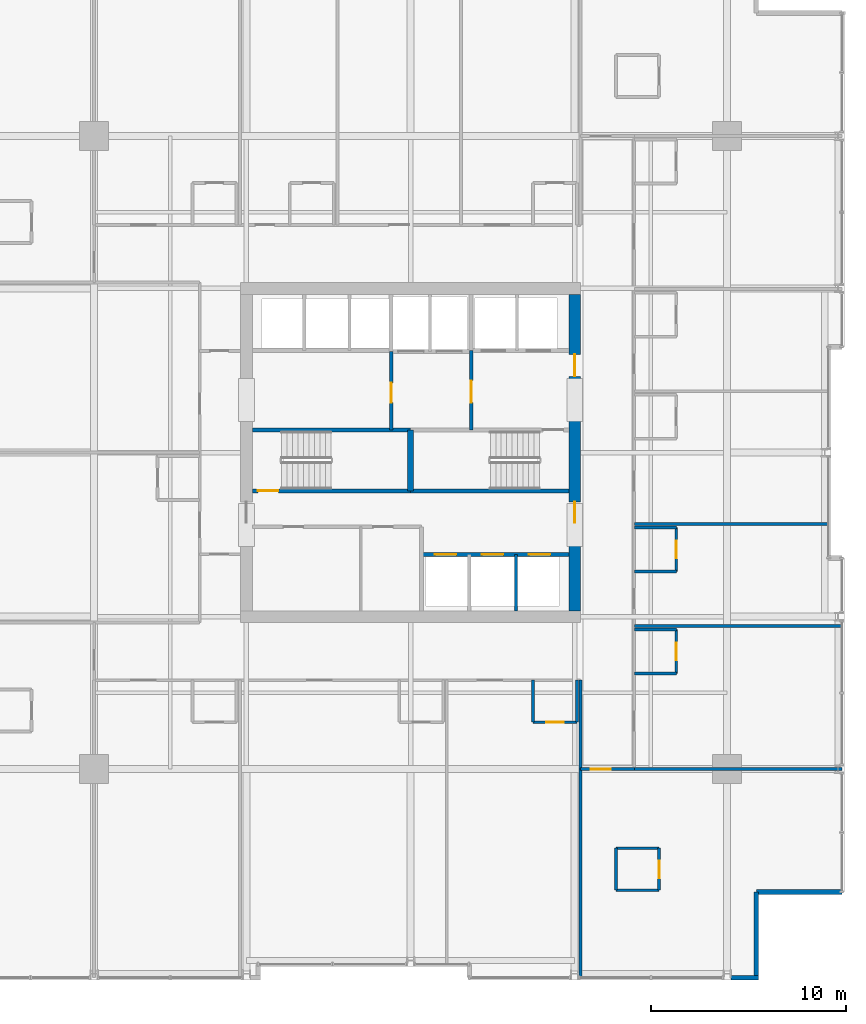
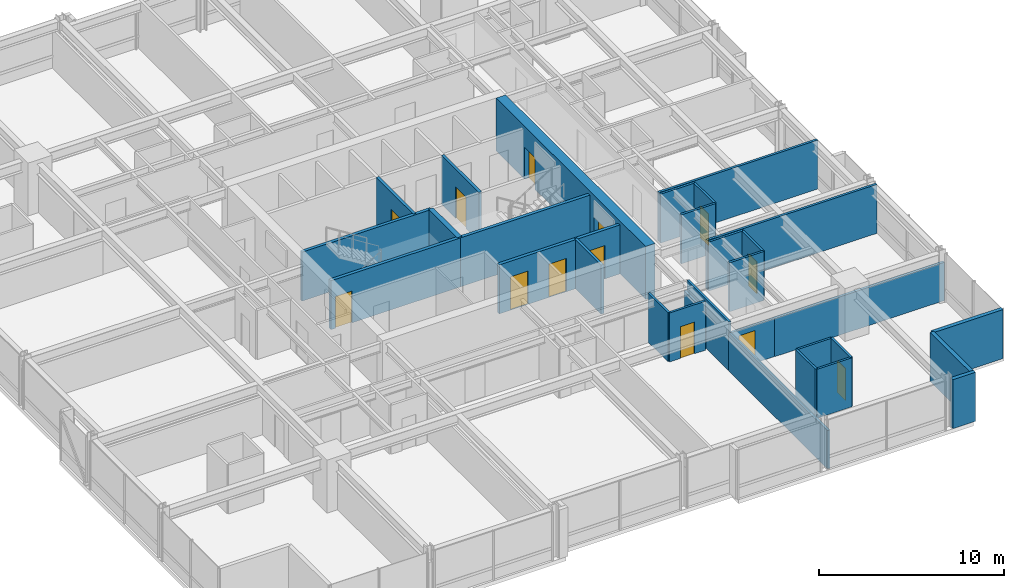
# One storey, part 29 of 34: 31 walls, 13 doors, 13 openings.
"""IFC4 building model written with IfcOpenShell, lengths in metres."""

from ifc_helpers import new_model, si_unit, direction, frame, frame_2d, origin, place, context, subcontext, project, spatial, rectangle, extrude, material, layer, layer_set, type_object, element, fill, save


model = new_model("IFC4")

# Units and contexts
model_context = context("Model", 3, precision=1e-05, world=origin(), true_north=direction((0.0, 1.0)))
body_context = subcontext(model_context, "Body", "Model", "MODEL_VIEW")
ifc_project = project(units=[si_unit("LENGTHUNIT", "METRE"), si_unit("AREAUNIT", "SQUARE_METRE"), si_unit("VOLUMEUNIT", "CUBIC_METRE"), si_unit("PLANEANGLEUNIT", "RADIAN"), si_unit("MASSUNIT", "GRAM", prefix="KILO")], contexts=[model_context])

# Site, building, storey
site_placement = place(None, origin())
site = spatial("IfcSite", under=ifc_project, at=site_placement, CompositionType="ELEMENT")
building_placement = place(site_placement, origin())
building = spatial("IfcBuilding", under=site, at=building_placement, Name="Drelvath Grand Hotel", CompositionType="ELEMENT")
storey_placement = place(building_placement, frame((0.0, 0.0, 126.800048828125)))
storey = spatial("IfcBuildingStorey", under=building, at=storey_placement, Name="L32", CompositionType="ELEMENT", Elevation=126.800048828125)

# Wall, openings, doors
ifc_material_1 = material(Name="Concrete C40/50", Category="concrete")
ifc_layer_1 = layer(ifc_material_1, 0.199951171875)
ifc_layer_set_1 = layer_set([ifc_layer_1], Name="Concrete C40/50")
wall_type_1 = type_object("IfcWallType", Name="Core Hoistway Fire Wall 200", PredefinedType="SOLIDWALL", material=ifc_layer_set_1)
wall_1_placement = place(storey_placement, frame((8.10009765625, 21.780029296875, 0.0), z_axis=(0.0, 0.0, 1.0), x_axis=(-1.0, 0.0, 0.0)))
wall_1 = element("IfcWall", 1, at=wall_1_placement, inside=storey, type_object=wall_type_1, Name="L32 Bank 2 Hoistway Wall", PredefinedType="SOLIDWALL", context=body_context, shape_type="SweptSolid", body=[
    extrude(rectangle(XDim=7.550048828125, YDim=0.199951171875, at=frame_2d((3.77490234375, 0.0))), origin(), (0.0, 0.0, 1.0), 3.239990234375),
])
opening_1_placement = place(wall_1_placement, frame((5.75, 0.0, 0.0)))
opening_1 = element("IfcOpeningElement", 2, at=opening_1_placement, cuts=wall_1, Name="Opening LD-PE-4", PredefinedType="OPENING", context=body_context, shape_type="SweptSolid", body=[
    extrude(rectangle(XDim=1.10009765625, YDim=2.199951171875, at=frame_2d((0.550048828125, 1.10009765625))), frame((0.0, 0.10986328125, 0.0), z_axis=(0.0, -1.0, 0.0), x_axis=(1.0, 0.0, 0.0)), (0.0, 0.0, 1.0), 0.219970703125),
])
opening_2_placement = place(wall_1_placement, frame((3.35009765625, 0.0, 0.0)))
opening_2 = element("IfcOpeningElement", 3, at=opening_2_placement, cuts=wall_1, Name="Opening LD-PE-5", PredefinedType="OPENING", context=body_context, shape_type="SweptSolid", body=[
    extrude(rectangle(XDim=1.10009765625, YDim=2.199951171875, at=frame_2d((0.550048828125, 1.10009765625))), frame((0.0, 0.10986328125, 0.0), z_axis=(0.0, -1.0, 0.0), x_axis=(1.0, 0.0, 0.0)), (0.0, 0.0, 1.0), 0.219970703125),
])
opening_3_placement = place(wall_1_placement, frame((0.949951171875, 0.0, 0.0)))
opening_3 = element("IfcOpeningElement", 4, at=opening_3_placement, cuts=wall_1, Name="Opening LD-PE-6", PredefinedType="OPENING", context=body_context, shape_type="SweptSolid", body=[
    extrude(rectangle(XDim=1.10009765625, YDim=2.199951171875, at=frame_2d((0.550048828125, 1.10009765625))), frame((0.0, 0.10986328125, 0.0), z_axis=(0.0, -1.0, 0.0), x_axis=(1.0, 0.0, 0.0)), (0.0, 0.0, 1.0), 0.219970703125),
])
ifc_material_2 = material(Name="Stainless Steel S355", Category="steel")
door_type_1 = type_object("IfcDoorType", Name="Passenger Lift Sliding Landing Door 1100x2200", OperationType="NOTDEFINED", PredefinedType="DOOR", material=ifc_material_2)
door_1_placement = place(opening_1_placement, origin())
door_1 = element("IfcDoor", 5, at=door_1_placement, inside=storey, type_object=door_type_1, Name="L32 Lift PE-4 Landing Door", OperationType="SLIDING_TO_LEFT", OverallHeight=2.199951171875, OverallWidth=1.10009765625, PredefinedType="DOOR", context=body_context, shape_type="SweptSolid", body=[
    extrude(rectangle(XDim=1.10009765625, YDim=2.199951171875, at=frame_2d((0.550048828125, 1.10009765625))), frame((0.0, 0.02490234375, 0.0), z_axis=(0.0, -1.0, 0.0), x_axis=(1.0, 0.0, 0.0)), (0.0, 0.0, 1.0), 0.050048828125),
])
fill(opening_1, door_1)
door_2_placement = place(opening_2_placement, origin())
door_2 = element("IfcDoor", 6, at=door_2_placement, inside=storey, type_object=door_type_1, Name="L32 Lift PE-5 Landing Door", OperationType="SLIDING_TO_LEFT", OverallHeight=2.199951171875, OverallWidth=1.10009765625, PredefinedType="DOOR", context=body_context, shape_type="SweptSolid", body=[
    extrude(rectangle(XDim=1.10009765625, YDim=2.199951171875, at=frame_2d((0.550048828125, 1.10009765625))), frame((0.0, 0.02490234375, 0.0), z_axis=(0.0, -1.0, 0.0), x_axis=(1.0, 0.0, 0.0)), (0.0, 0.0, 1.0), 0.050048828125),
])
fill(opening_2, door_2)
door_3_placement = place(opening_3_placement, origin())
door_3 = element("IfcDoor", 7, at=door_3_placement, inside=storey, type_object=door_type_1, Name="L32 Lift PE-6 Landing Door", OperationType="SLIDING_TO_LEFT", OverallHeight=2.199951171875, OverallWidth=1.10009765625, PredefinedType="DOOR", context=body_context, shape_type="SweptSolid", body=[
    extrude(rectangle(XDim=1.10009765625, YDim=2.199951171875, at=frame_2d((0.550048828125, 1.10009765625))), frame((0.0, 0.02490234375, 0.0), z_axis=(0.0, -1.0, 0.0), x_axis=(1.0, 0.0, 0.0)), (0.0, 0.0, 1.0), 0.050048828125),
])
fill(opening_3, door_3)

# Wall, opening, door
ifc_layer_2 = layer(ifc_material_1, 0.199951171875)
ifc_layer_set_2 = layer_set([ifc_layer_2], Name="Concrete C40/50")
wall_type_2 = type_object("IfcWallType", Name="Core Shaft Fire Wall 200", PredefinedType="SOLIDWALL", material=ifc_layer_set_2)
wall_2_placement = place(storey_placement, frame((-8.10009765625, 25.0400390625, 0.0), z_axis=(0.0, 0.0, 1.0), x_axis=(1.0, 0.0, 0.0)))
wall_2 = element("IfcWall", 8, at=wall_2_placement, inside=storey, type_object=wall_type_2, Name="L32 Stair ST-1 South Wall", PredefinedType="SOLIDWALL", context=body_context, shape_type="SweptSolid", body=[
    extrude(rectangle(XDim=8.10009765625, YDim=0.199951171875, at=frame_2d((4.050048828125, 0.0))), origin(), (0.0, 0.0, 1.0), 3.239990234375),
])
opening_4_placement = place(wall_2_placement, frame((0.280029296875, 0.0, 0.0)))
opening_4 = element("IfcOpeningElement", 9, at=opening_4_placement, cuts=wall_2, Name="Opening D-T2G4-001", PredefinedType="OPENING", context=body_context, shape_type="SweptSolid", body=[
    extrude(rectangle(XDim=1.050048828125, YDim=2.10009765625, at=frame_2d((0.52490234375, 1.050048828125))), frame((0.0, 0.10986328125, 0.0), z_axis=(0.0, -1.0, 0.0), x_axis=(1.0, 0.0, 0.0)), (0.0, 0.0, 1.0), 0.219970703125),
])
ifc_material_3 = material(Name="Painted Steel S275", Category="steel")
door_type_2 = type_object("IfcDoorType", Name="Tower Stairwell Fire Door 1050x2100", OperationType="NOTDEFINED", PredefinedType="DOOR", material=ifc_material_3)
door_4_placement = place(opening_4_placement, origin())
door_4 = element("IfcDoor", 10, at=door_4_placement, inside=storey, type_object=door_type_2, Name="L32 Exit Stair ST-1 Door", OperationType="SINGLE_SWING_LEFT", OverallHeight=2.10009765625, OverallWidth=1.050048828125, PredefinedType="DOOR", context=body_context, shape_type="SweptSolid", body=[
    extrude(rectangle(XDim=1.050048828125, YDim=2.10009765625, at=frame_2d((0.52490234375, 1.050048828125))), frame((0.0, 0.02490234375, 0.0), z_axis=(0.0, -1.0, 0.0), x_axis=(1.0, 0.0, 0.0)), (0.0, 0.0, 1.0), 0.050048828125),
])
fill(opening_4, door_4)

# Walls
for number, where, z_axis, x_axis, name in (
    (11, (-8.10009765625, 28.159912109375, 0.0), (0.0, 0.0, 1.0), (1.0, 0.0, 0.0), "L32 Stair ST-1 North Wall"),
    (12, (0.0, 25.0400390625, 0.0), (0.0, 0.0, 1.0), (1.0, 0.0, 0.0), "L32 Stair ST-2 South Wall"),
):
    element("IfcWall", number, at=place(storey_placement, frame(where, z_axis=z_axis, x_axis=x_axis)), inside=storey, type_object=wall_type_2, Name=name, PredefinedType="SOLIDWALL", context=body_context, shape_type="SweptSolid", body=[
        extrude(rectangle(XDim=8.10009765625, YDim=0.199951171875, at=frame_2d((4.050048828125, 0.0))), origin(), (0.0, 0.0, 1.0), 3.239990234375),
    ])
ifc_layer_3 = layer(ifc_material_1, 0.300048828125)
ifc_layer_set_3 = layer_set([ifc_layer_3], Name="Concrete C40/50")
wall_type_3 = type_object("IfcWallType", Name="Core Shaft Fire Wall 300", PredefinedType="SOLIDWALL", material=ifc_layer_set_3)
wall_3_placement = place(storey_placement, frame((0.0, 25.0400390625, 0.0), z_axis=(0.0, 0.0, 1.0), x_axis=(0.0, 1.0, 0.0)))
element("IfcWall", 13, at=wall_3_placement, inside=storey, type_object=wall_type_3, Name="L32 Core Stair Divider Wall", PredefinedType="SOLIDWALL", context=body_context, shape_type="SweptSolid", body=[
    extrude(rectangle(XDim=3.119873046875, YDim=0.300048828125, at=frame_2d((1.56005859375, 0.0))), origin(), (0.0, 0.0, 1.0), 3.239990234375),
])
ifc_material_4 = material(Name="Gypsum Fireboard Partition")
ifc_layer_4 = layer(ifc_material_4, 0.1650390625)
ifc_layer_set_4 = layer_set([ifc_layer_4], Name="Gypsum Fireboard Partition")
wall_type_4 = type_object("IfcWallType", Name="Core Shaft Partition 165", PredefinedType="PARTITIONING", material=ifc_layer_set_4)
wall_4_placement = place(storey_placement, frame((5.39990234375, 18.89990234375, 0.0), z_axis=(0.0, 0.0, 1.0), x_axis=(0.0, 1.0, 0.0)))
element("IfcWall", 14, at=wall_4_placement, inside=storey, type_object=wall_type_4, Name="L32 Lift PE-5/6 Divider", PredefinedType="PARTITIONING", context=body_context, shape_type="SweptSolid", body=[
    extrude(rectangle(XDim=2.880126953125, YDim=0.1650390625, at=frame_2d((1.43994140625, 0.0))), origin(), (0.0, 0.0, 1.0), 3.239990234375),
])
ifc_layer_5 = layer(ifc_material_4, 0.135009765625)
ifc_layer_set_5 = layer_set([ifc_layer_5], Name="Gypsum Fireboard Partition")
wall_type_5 = type_object("IfcWallType", Name="Corridor Fire Barrier Wall 135", PredefinedType="PARTITIONING", material=ifc_layer_set_5)
wall_5_placement = place(storey_placement, frame((8.699951171875, 10.800048828125, 0.0), z_axis=(0.0, 0.0, 1.0), x_axis=(0.0, 1.0, 0.0)))
element("IfcWall", 15, at=wall_5_placement, inside=storey, type_object=wall_type_5, Name="L32 East Spine South Inner Wall", PredefinedType="PARTITIONING", context=body_context, shape_type="SweptSolid", body=[
    extrude(rectangle(XDim=4.550048828125, YDim=0.135009765625, at=frame_2d((2.27490234375, 0.0))), origin(), (0.0, 0.0, 1.0), 3.239990234375),
])

# Wall, opening, door
wall_6_placement = place(storey_placement, frame((8.699951171875, 10.800048828125, 0.0), z_axis=(0.0, 0.0, 1.0), x_axis=(1.0, 0.0, 0.0)))
wall_6 = element("IfcWall", 16, at=wall_6_placement, inside=storey, type_object=wall_type_5, Name="L32 East Spine South End", PredefinedType="PARTITIONING", context=body_context, shape_type="SweptSolid", body=[
    extrude(rectangle(XDim=2.75, YDim=0.135009765625, at=frame_2d((1.375, 0.0))), origin(), (0.0, 0.0, 1.0), 2.529541015625),
])
opening_5_placement = place(wall_6_placement, frame((0.52001953125, 0.0, 0.0)))
opening_5 = element("IfcOpeningElement", 17, at=opening_5_placement, cuts=wall_6, Name="Opening D-T2G4-024", PredefinedType="OPENING", context=body_context, shape_type="SweptSolid", body=[
    extrude(rectangle(XDim=1.02001953125, YDim=2.14990234375, at=frame_2d((0.510009765625, 1.074951171875))), frame((0.0, 0.077392578125, 0.0), z_axis=(0.0, -1.0, 0.0), x_axis=(1.0, 0.0, 0.0)), (0.0, 0.0, 1.0), 0.155029296875),
])
ifc_material_5 = material(Name="Hardwood Walnut Timber", Category="wood")
door_type_3 = type_object("IfcDoorType", Name="Amenity Meeting Fire Door 1020x2150", OperationType="NOTDEFINED", PredefinedType="DOOR", material=ifc_material_5)
door_5_placement = place(opening_5_placement, origin())
door_5 = element("IfcDoor", 18, at=door_5_placement, inside=storey, type_object=door_type_3, Name="L32 Corner Suite Entry Door", OperationType="SINGLE_SWING_LEFT", OverallHeight=2.14990234375, OverallWidth=1.02001953125, PredefinedType="DOOR", context=body_context, shape_type="SweptSolid", body=[
    extrude(rectangle(XDim=1.02001953125, YDim=2.14990234375, at=frame_2d((0.510009765625, 1.074951171875))), frame((0.0, 0.02490234375, 0.0), z_axis=(0.0, -1.0, 0.0), x_axis=(1.0, 0.0, 0.0)), (0.0, 0.0, 1.0), 0.050048828125),
])
fill(opening_5, door_5)

# Walls
ifc_material_6 = material(Name="Moisture-Resistant Gypsum Board")
ifc_layer_6 = layer(ifc_material_6, 0.139892578125)
ifc_layer_set_6 = layer_set([ifc_layer_6], Name="Moisture-Resistant Gypsum Board")
wall_type_6 = type_object("IfcWallType", Name="En-Suite Plumbing Wall 140", PredefinedType="PLUMBINGWALL", material=ifc_layer_set_6)
for number, where, z_axis, x_axis, name in (
    (19, (10.52001953125, 4.60009765625, 0.0), (0.0, 0.0, 1.0), (1.0, 0.0, 0.0), "L32 Corner En-Suite South"),
    (20, (10.52001953125, 6.75, 0.0), (0.0, 0.0, 1.0), (1.0, 0.0, 0.0), "L32 Corner En-Suite North"),
):
    element("IfcWall", number, at=place(storey_placement, frame(where, z_axis=z_axis, x_axis=x_axis)), inside=storey, type_object=wall_type_6, Name=name, PredefinedType="PLUMBINGWALL", context=body_context, shape_type="SweptSolid", body=[
        extrude(rectangle(XDim=2.199951171875, YDim=0.139892578125, at=frame_2d((1.10009765625, 0.0))), origin(), (0.0, 0.0, 1.0), 3.239990234375),
    ])
wall_7_placement = place(storey_placement, frame((10.52001953125, 4.60009765625, 0.0), z_axis=(0.0, 0.0, 1.0), x_axis=(0.0, 1.0, 0.0)))
element("IfcWall", 21, at=wall_7_placement, inside=storey, type_object=wall_type_6, Name="L32 Corner En-Suite West", PredefinedType="PLUMBINGWALL", context=body_context, shape_type="SweptSolid", body=[
    extrude(rectangle(XDim=2.14990234375, YDim=0.139892578125, at=frame_2d((1.074951171875, 0.0))), origin(), (0.0, 0.0, 1.0), 3.239990234375),
])

# Wall, opening, door
wall_8_placement = place(storey_placement, frame((12.719970703125, 4.60009765625, 0.0), z_axis=(0.0, 0.0, 1.0), x_axis=(0.0, 1.0, 0.0)))
wall_8 = element("IfcWall", 22, at=wall_8_placement, inside=storey, type_object=wall_type_6, Name="L32 Corner En-Suite East", PredefinedType="PLUMBINGWALL", context=body_context, shape_type="SweptSolid", body=[
    extrude(rectangle(XDim=2.14990234375, YDim=0.139892578125, at=frame_2d((1.074951171875, 0.0))), origin(), (0.0, 0.0, 1.0), 3.239990234375),
])
opening_6_placement = place(wall_8_placement, frame((0.6201171875, 0.0, 0.0)))
opening_6 = element("IfcOpeningElement", 23, at=opening_6_placement, cuts=wall_8, Name="Opening D-T2G4-023", PredefinedType="OPENING", context=body_context, shape_type="SweptSolid", body=[
    extrude(rectangle(XDim=0.8798828125, YDim=2.10009765625, at=frame_2d((0.43994140625, 1.050048828125))), frame((0.0, 0.079833984375, 0.0), z_axis=(0.0, -1.0, 0.0), x_axis=(1.0, 0.0, 0.0)), (0.0, 0.0, 1.0), 0.159912109375),
])
door_type_4 = type_object("IfcDoorType", Name="En-Suite Bathroom Door 880x2100", OperationType="NOTDEFINED", PredefinedType="DOOR", material=ifc_material_5)
door_6_placement = place(opening_6_placement, origin())
door_6 = element("IfcDoor", 24, at=door_6_placement, inside=storey, type_object=door_type_4, Name="L32 Corner En-Suite Door", OperationType="SINGLE_SWING_RIGHT", OverallHeight=2.10009765625, OverallWidth=0.8798828125, PredefinedType="DOOR", context=body_context, shape_type="SweptSolid", body=[
    extrude(rectangle(XDim=0.8798828125, YDim=2.10009765625, at=frame_2d((0.43994140625, 1.050048828125))), frame((0.0, 0.02490234375, 0.0), z_axis=(0.0, -1.0, 0.0), x_axis=(1.0, 0.0, 0.0)), (0.0, 0.0, 1.0), 0.050048828125),
])
fill(opening_6, door_6)

# Walls
wall_9_placement = place(storey_placement, frame((6.27001953125, 15.35009765625, 0.0), z_axis=(0.0, 0.0, 1.0), x_axis=(0.0, -1.0, 0.0)))
element("IfcWall", 25, at=wall_9_placement, inside=storey, type_object=wall_type_6, Name="L32 En-Suite Left Wall", PredefinedType="PLUMBINGWALL", context=body_context, shape_type="SweptSolid", body=[
    extrude(rectangle(XDim=2.150146484375, YDim=0.139892578125, at=frame_2d((1.0751953125, 0.0))), origin(), (0.0, 0.0, 1.0), 3.239990234375),
])
wall_10_placement = place(storey_placement, frame((8.52001953125, 15.35009765625, 0.0), z_axis=(0.0, 0.0, 1.0), x_axis=(0.0, -1.0, 0.0)))
element("IfcWall", 26, at=wall_10_placement, inside=storey, type_object=wall_type_6, Name="L32 En-Suite Right Wall", PredefinedType="PLUMBINGWALL", context=body_context, shape_type="SweptSolid", body=[
    extrude(rectangle(XDim=2.150146484375, YDim=0.139892578125, at=frame_2d((1.0751953125, 0.0))), origin(), (0.0, 0.0, 1.0), 2.617431640625),
])

# Wall, opening, door
wall_11_placement = place(storey_placement, frame((6.27001953125, 13.199951171875, 0.0), z_axis=(0.0, 0.0, 1.0), x_axis=(1.0, 0.0, 0.0)))
wall_11 = element("IfcWall", 27, at=wall_11_placement, inside=storey, type_object=wall_type_6, Name="L32 En-Suite Front Wall", PredefinedType="PLUMBINGWALL", context=body_context, shape_type="SweptSolid", body=[
    extrude(rectangle(XDim=2.25, YDim=0.139892578125, at=frame_2d((1.125, 0.0))), origin(), (0.0, 0.0, 1.0), 3.239990234375),
])
opening_7_placement = place(wall_11_placement, frame((0.68505859375, 0.0, 0.0)))
opening_7 = element("IfcOpeningElement", 28, at=opening_7_placement, cuts=wall_11, Name="Opening D-T2G4-031", PredefinedType="OPENING", context=body_context, shape_type="SweptSolid", body=[
    extrude(rectangle(XDim=0.8798828125, YDim=2.10009765625, at=frame_2d((0.43994140625, 1.050048828125))), frame((0.0, 0.079833984375, 0.0), z_axis=(0.0, -1.0, 0.0), x_axis=(1.0, 0.0, 0.0)), (0.0, 0.0, 1.0), 0.159912109375),
])
door_7_placement = place(opening_7_placement, origin())
door_7 = element("IfcDoor", 29, at=door_7_placement, inside=storey, type_object=door_type_4, Name="L32 En-Suite Bathroom Door", OperationType="SINGLE_SWING_RIGHT", OverallHeight=2.10009765625, OverallWidth=0.8798828125, PredefinedType="DOOR", context=body_context, shape_type="SweptSolid", body=[
    extrude(rectangle(XDim=0.8798828125, YDim=2.10009765625, at=frame_2d((0.43994140625, 1.050048828125))), frame((0.0, 0.02490234375, 0.0), z_axis=(0.0, -1.0, 0.0), x_axis=(1.0, 0.0, 0.0)), (0.0, 0.0, 1.0), 0.050048828125),
])
fill(opening_7, door_7)

# Walls
for number, where, z_axis, x_axis, name in (
    (30, (11.449951171875, 15.68603515625, 0.0), (0.0, 0.0, 1.0), (1.0, 0.0, 0.0), "L32 En-Suite Left Wall"),
    (31, (11.449951171875, 17.93603515625, 0.0), (0.0, 0.0, 1.0), (1.0, 0.0, 0.0), "L32 En-Suite Right Wall"),
):
    element("IfcWall", number, at=place(storey_placement, frame(where, z_axis=z_axis, x_axis=x_axis)), inside=storey, type_object=wall_type_6, Name=name, PredefinedType="PLUMBINGWALL", context=body_context, shape_type="SweptSolid", body=[
        extrude(rectangle(XDim=2.150146484375, YDim=0.139892578125, at=frame_2d((1.0751953125, 0.0))), origin(), (0.0, 0.0, 1.0), 3.239990234375),
    ])

# Wall, opening, door
wall_12_placement = place(storey_placement, frame((13.60009765625, 15.68603515625, 0.0), z_axis=(0.0, 0.0, 1.0), x_axis=(0.0, 1.0, 0.0)))
wall_12 = element("IfcWall", 32, at=wall_12_placement, inside=storey, type_object=wall_type_6, Name="L32 En-Suite Front Wall", PredefinedType="PLUMBINGWALL", context=body_context, shape_type="SweptSolid", body=[
    extrude(rectangle(XDim=2.25, YDim=0.139892578125, at=frame_2d((1.125, 0.0))), origin(), (0.0, 0.0, 1.0), 3.239990234375),
])
opening_8_placement = place(wall_12_placement, frame((0.68505859375, 0.0, 0.0)))
opening_8 = element("IfcOpeningElement", 33, at=opening_8_placement, cuts=wall_12, Name="Opening D-T2G4-040", PredefinedType="OPENING", context=body_context, shape_type="SweptSolid", body=[
    extrude(rectangle(XDim=0.8798828125, YDim=2.10009765625, at=frame_2d((0.43994140625, 1.050048828125))), frame((0.0, 0.079833984375, 0.0), z_axis=(0.0, -1.0, 0.0), x_axis=(1.0, 0.0, 0.0)), (0.0, 0.0, 1.0), 0.159912109375),
])
door_8_placement = place(opening_8_placement, origin())
door_8 = element("IfcDoor", 34, at=door_8_placement, inside=storey, type_object=door_type_4, Name="L32 En-Suite Bathroom Door", OperationType="SINGLE_SWING_LEFT", OverallHeight=2.10009765625, OverallWidth=0.8798828125, PredefinedType="DOOR", context=body_context, shape_type="SweptSolid", body=[
    extrude(rectangle(XDim=0.8798828125, YDim=2.10009765625, at=frame_2d((0.43994140625, 1.050048828125))), frame((0.0, 0.02490234375, 0.0), z_axis=(0.0, -1.0, 0.0), x_axis=(1.0, 0.0, 0.0)), (0.0, 0.0, 1.0), 0.050048828125),
])
fill(opening_8, door_8)

# Walls
for number, where, z_axis, x_axis, name in (
    (35, (11.449951171875, 20.911865234375, 0.0), (0.0, 0.0, 1.0), (1.0, 0.0, 0.0), "L32 En-Suite Left Wall"),
    (36, (11.449951171875, 23.161865234375, 0.0), (0.0, 0.0, 1.0), (1.0, 0.0, 0.0), "L32 En-Suite Right Wall"),
):
    element("IfcWall", number, at=place(storey_placement, frame(where, z_axis=z_axis, x_axis=x_axis)), inside=storey, type_object=wall_type_6, Name=name, PredefinedType="PLUMBINGWALL", context=body_context, shape_type="SweptSolid", body=[
        extrude(rectangle(XDim=2.150146484375, YDim=0.139892578125, at=frame_2d((1.0751953125, 0.0))), origin(), (0.0, 0.0, 1.0), 3.239990234375),
    ])

# Wall, opening, door
wall_13_placement = place(storey_placement, frame((13.60009765625, 20.911865234375, 0.0), z_axis=(0.0, 0.0, 1.0), x_axis=(0.0, 1.0, 0.0)))
wall_13 = element("IfcWall", 37, at=wall_13_placement, inside=storey, type_object=wall_type_6, Name="L32 En-Suite Front Wall", PredefinedType="PLUMBINGWALL", context=body_context, shape_type="SweptSolid", body=[
    extrude(rectangle(XDim=2.25, YDim=0.139892578125, at=frame_2d((1.125, 0.0))), origin(), (0.0, 0.0, 1.0), 3.239990234375),
])
opening_9_placement = place(wall_13_placement, frame((0.68505859375, 0.0, 0.0)))
opening_9 = element("IfcOpeningElement", 38, at=opening_9_placement, cuts=wall_13, Name="Opening D-T2G4-042", PredefinedType="OPENING", context=body_context, shape_type="SweptSolid", body=[
    extrude(rectangle(XDim=0.8798828125, YDim=2.10009765625, at=frame_2d((0.43994140625, 1.050048828125))), frame((0.0, 0.079833984375, 0.0), z_axis=(0.0, -1.0, 0.0), x_axis=(1.0, 0.0, 0.0)), (0.0, 0.0, 1.0), 0.159912109375),
])
door_9_placement = place(opening_9_placement, origin())
door_9 = element("IfcDoor", 39, at=door_9_placement, inside=storey, type_object=door_type_4, Name="L32 En-Suite Bathroom Door", OperationType="SINGLE_SWING_LEFT", OverallHeight=2.10009765625, OverallWidth=0.8798828125, PredefinedType="DOOR", context=body_context, shape_type="SweptSolid", body=[
    extrude(rectangle(XDim=0.8798828125, YDim=2.10009765625, at=frame_2d((0.43994140625, 1.050048828125))), frame((0.0, 0.02490234375, 0.0), z_axis=(0.0, -1.0, 0.0), x_axis=(1.0, 0.0, 0.0)), (0.0, 0.0, 1.0), 0.050048828125),
])
fill(opening_9, door_9)

ifc_layer_7 = layer(ifc_material_4, 0.179931640625)
ifc_layer_set_7 = layer_set([ifc_layer_7], Name="Gypsum Fireboard Partition")
wall_type_7 = type_object("IfcWallType", Name="FSAE Smoke Lobby Fire Wall 180", PredefinedType="SOLIDWALL", material=ifc_layer_set_7)
wall_14_placement = place(storey_placement, frame((3.10009765625, 28.159912109375, 0.0), z_axis=(0.0, 0.0, 1.0), x_axis=(0.0, 1.0, 0.0)))
wall_14 = element("IfcWall", 40, at=wall_14_placement, inside=storey, type_object=wall_type_7, Name="L32 FSAE Smoke Lobby West Wall", PredefinedType="SOLIDWALL", context=body_context, shape_type="SweptSolid", body=[
    extrude(rectangle(XDim=4.06005859375, YDim=0.179931640625, at=frame_2d((2.030029296875, 0.0))), origin(), (0.0, 0.0, 1.0), 3.239990234375),
])
opening_10_placement = place(wall_14_placement, frame((1.39990234375, 0.0, 0.0)))
opening_10 = element("IfcOpeningElement", 41, at=opening_10_placement, cuts=wall_14, Name="Opening D-T2G4-005", PredefinedType="OPENING", context=body_context, shape_type="SweptSolid", body=[
    extrude(rectangle(XDim=1.1201171875, YDim=2.10009765625, at=frame_2d((0.56005859375, 1.050048828125))), frame((0.0, 0.099853515625, 0.0), z_axis=(0.0, -1.0, 0.0), x_axis=(1.0, 0.0, 0.0)), (0.0, 0.0, 1.0), 0.199951171875),
])
door_type_5 = type_object("IfcDoorType", Name="FSAE Smoke Lobby Fire Door 1120x2100", OperationType="NOTDEFINED", PredefinedType="DOOR", material=ifc_material_3)
door_10_placement = place(opening_10_placement, origin())
door_10 = element("IfcDoor", 42, at=door_10_placement, inside=storey, type_object=door_type_5, Name="L32 FSAE Lobby Service Vestibule Door", OperationType="SINGLE_SWING_RIGHT", OverallHeight=2.10009765625, OverallWidth=1.1201171875, PredefinedType="DOOR", context=body_context, shape_type="SweptSolid", body=[
    extrude(rectangle(XDim=1.1201171875, YDim=2.10009765625, at=frame_2d((0.56005859375, 1.050048828125))), frame((0.0, 0.02490234375, 0.0), z_axis=(0.0, -1.0, 0.0), x_axis=(1.0, 0.0, 0.0)), (0.0, 0.0, 1.0), 0.050048828125),
])
fill(opening_10, door_10)

wall_15_placement = place(storey_placement, frame((-1.0, 28.159912109375, 0.0), z_axis=(0.0, 0.0, 1.0), x_axis=(0.0, 1.0, 0.0)))
wall_15 = element("IfcWall", 43, at=wall_15_placement, inside=storey, type_object=wall_type_7, Name="L32 Service Vestibule West Wall", PredefinedType="SOLIDWALL", context=body_context, shape_type="SweptSolid", body=[
    extrude(rectangle(XDim=4.02001953125, YDim=0.179931640625, at=frame_2d((2.010009765625, 0.0))), origin(), (0.0, 0.0, 1.0), 3.239990234375),
])
opening_11_placement = place(wall_15_placement, frame((1.39990234375, 0.0, 0.0)))
opening_11 = element("IfcOpeningElement", 44, at=opening_11_placement, cuts=wall_15, Name="Opening D-T2G4-009", PredefinedType="OPENING", context=body_context, shape_type="SweptSolid", body=[
    extrude(rectangle(XDim=1.0, YDim=2.10009765625, at=frame_2d((0.5, 1.050048828125))), frame((0.0, 0.099853515625, 0.0), z_axis=(0.0, -1.0, 0.0), x_axis=(1.0, 0.0, 0.0)), (0.0, 0.0, 1.0), 0.199951171875),
])
door_type_6 = type_object("IfcDoorType", Name="Core Service Fire Door 1000x2100", OperationType="NOTDEFINED", PredefinedType="DOOR", material=ifc_material_3)
door_11_placement = place(opening_11_placement, origin())
door_11 = element("IfcDoor", 45, at=door_11_placement, inside=storey, type_object=door_type_6, Name="L32 Service Vestibule West Door", OperationType="SINGLE_SWING_LEFT", OverallHeight=2.10009765625, OverallWidth=1.0, PredefinedType="DOOR", context=body_context, shape_type="SweptSolid", body=[
    extrude(rectangle(XDim=1.0, YDim=2.10009765625, at=frame_2d((0.5, 1.050048828125))), frame((0.0, 0.02490234375, 0.0), z_axis=(0.0, -1.0, 0.0), x_axis=(1.0, 0.0, 0.0)), (0.0, 0.0, 1.0), 0.050048828125),
])
fill(opening_11, door_11)

# Walls
ifc_material_7 = material(Name="Gypsum Acoustic Partition")
ifc_layer_8 = layer(ifc_material_7, 0.14990234375)
ifc_layer_set_8 = layer_set([ifc_layer_8], Name="Gypsum Acoustic Partition")
wall_type_8 = type_object("IfcWallType", Name="Guestroom Demising Wall 150", PredefinedType="PARTITIONING", material=ifc_layer_set_8)
wall_16_placement = place(storey_placement, frame((11.449951171875, 18.1162109375, 0.0), z_axis=(0.0, 0.0, 1.0), x_axis=(1.0, 0.0, 0.0)))
element("IfcWall", 46, at=wall_16_placement, inside=storey, type_object=wall_type_8, Name="L32 East Demising 1", PredefinedType="PARTITIONING", context=body_context, shape_type="SweptSolid", body=[
    extrude(rectangle(XDim=10.630126953125, YDim=0.14990234375, at=frame_2d((5.31494140625, 0.0))), origin(), (0.0, 0.0, 1.0), 3.239990234375),
])
wall_17_placement = place(storey_placement, frame((11.449951171875, 23.341796875, 0.0), z_axis=(0.0, 0.0, 1.0), x_axis=(1.0, 0.0, 0.0)))
element("IfcWall", 47, at=wall_17_placement, inside=storey, type_object=wall_type_8, Name="L32 East Demising 2", PredefinedType="PARTITIONING", context=body_context, shape_type="SweptSolid", body=[
    extrude(rectangle(XDim=9.949951171875, YDim=0.14990234375, at=frame_2d((4.97509765625, 0.0))), origin(), (0.0, 0.0, 1.0), 3.239990234375),
])

# Wall, openings, doors
ifc_material_8 = material(Name="Concrete f'c 70 MPa", Category="concrete")
ifc_layer_9 = layer(ifc_material_8, 0.60009765625)
ifc_layer_set_9 = layer_set([ifc_layer_9], Name="Concrete f'c 70 MPa")
wall_type_9 = type_object("IfcWallType", Name="Lower Core RC Shear Wall 600", PredefinedType="SHEAR", material=ifc_layer_set_9)
wall_18_placement = place(storey_placement, frame((8.39990234375, 35.10009765625, 0.0), z_axis=(0.0, 0.0, 1.0), x_axis=(0.0, -1.0, 0.0)))
wall_18 = element("IfcWall", 48, at=wall_18_placement, inside=storey, type_object=wall_type_9, Name="L32 Central Core Shear Wall E", PredefinedType="SHEAR", context=body_context, shape_type="SweptSolid", body=[
    extrude(rectangle(XDim=16.2001953125, YDim=0.60009765625, at=frame_2d((8.10009765625, 0.0))), origin(), (0.0, 0.0, 1.0), 3.5),
])
opening_12_placement = place(wall_18_placement, frame((3.080078125, 0.0, 0.0)))
opening_12 = element("IfcOpeningElement", 49, at=opening_12_placement, cuts=wall_18, Name="Opening D-T2G4-006", PredefinedType="OPENING", context=body_context, shape_type="SweptSolid", body=[
    extrude(rectangle(XDim=1.1201171875, YDim=2.10009765625, at=frame_2d((0.56005859375, 1.050048828125))), frame((0.0, 0.31005859375, 0.0), z_axis=(0.0, -1.0, 0.0), x_axis=(1.0, 0.0, 0.0)), (0.0, 0.0, 1.0), 0.6201171875),
])
opening_13_placement = place(wall_18_placement, frame((10.6201171875, 0.0, 0.0)))
opening_13 = element("IfcOpeningElement", 50, at=opening_13_placement, cuts=wall_18, Name="Opening D-T2G4-014", PredefinedType="OPENING", context=body_context, shape_type="SweptSolid", body=[
    extrude(rectangle(XDim=1.080078125, YDim=2.0400390625, at=frame_2d((0.5400390625, 1.02001953125))), frame((0.0, 0.31005859375, 0.0), z_axis=(0.0, -1.0, 0.0), x_axis=(1.0, 0.0, 0.0)), (0.0, 0.0, 1.0), 0.6201171875),
])
door_type_7 = type_object("IfcDoorType", Name="Core Corridor Fire Door 1080x2100", OperationType="NOTDEFINED", PredefinedType="DOOR", material=ifc_material_3)
door_12_placement = place(opening_13_placement, origin())
door_12 = element("IfcDoor", 51, at=door_12_placement, inside=storey, type_object=door_type_7, Name="L32 Mid-Rise Lobby East Door", OperationType="SINGLE_SWING_LEFT", OverallHeight=2.0400390625, OverallWidth=1.080078125, PredefinedType="DOOR", context=body_context, shape_type="SweptSolid", body=[
    extrude(rectangle(XDim=1.080078125, YDim=2.0400390625, at=frame_2d((0.5400390625, 1.02001953125))), frame((0.0, 0.02490234375, 0.0), z_axis=(0.0, -1.0, 0.0), x_axis=(1.0, 0.0, 0.0)), (0.0, 0.0, 1.0), 0.050048828125),
])
fill(opening_13, door_12)
door_13_placement = place(opening_12_placement, origin())
door_13 = element("IfcDoor", 52, at=door_13_placement, inside=storey, type_object=door_type_5, Name="L32 FSAE Lobby East Corridor Door", OperationType="SINGLE_SWING_LEFT", OverallHeight=2.10009765625, OverallWidth=1.1201171875, PredefinedType="DOOR", context=body_context, shape_type="SweptSolid", body=[
    extrude(rectangle(XDim=1.1201171875, YDim=2.10009765625, at=frame_2d((0.56005859375, 1.050048828125))), frame((0.0, 0.02490234375, 0.0), z_axis=(0.0, -1.0, 0.0), x_axis=(1.0, 0.0, 0.0)), (0.0, 0.0, 1.0), 0.050048828125),
])
fill(opening_12, door_13)

# Walls
ifc_layer_10 = layer(ifc_material_7, 0.1650390625)
ifc_layer_set_10 = layer_set([ifc_layer_10], Name="Gypsum Acoustic Partition")
wall_type_10 = type_object("IfcWallType", Name="Suite Demising Wall 165", PredefinedType="PARTITIONING", material=ifc_layer_set_10)
wall_19_placement = place(storey_placement, frame((8.699951171875, 0.1201171875, 0.0), z_axis=(0.0, 0.0, 1.0), x_axis=(0.0, 1.0, 0.0)))
element("IfcWall", 53, at=wall_19_placement, inside=storey, type_object=wall_type_10, Name="L32 SE Suite West Wall", PredefinedType="PARTITIONING", context=body_context, shape_type="SweptSolid", body=[
    extrude(rectangle(XDim=10.679931640625, YDim=0.1650390625, at=frame_2d((5.33984375, 0.0))), origin(), (0.0, 0.0, 1.0), 2.529541015625),
])
wall_20_placement = place(storey_placement, frame((11.449951171875, 10.800048828125, 0.0), z_axis=(0.0, 0.0, 1.0), x_axis=(1.0, 0.0, 0.0)))
element("IfcWall", 54, at=wall_20_placement, inside=storey, type_object=wall_type_10, Name="L32 SE Suite North Wall", PredefinedType="PARTITIONING", context=body_context, shape_type="SweptSolid", body=[
    extrude(rectangle(XDim=10.630126953125, YDim=0.1650390625, at=frame_2d((5.31494140625, 0.0))), origin(), (0.0, 0.0, 1.0), 2.529541015625),
])
ifc_material_9 = material(Name="Pale-Metal Insulated Aluminium Spandrel Assembly", Category="aluminium")
ifc_layer_11 = layer(ifc_material_9, 0.239990234375)
ifc_layer_set_11 = layer_set([ifc_layer_11], Name="Pale-Metal Insulated Aluminium Spandrel Assembly")
wall_type_11 = type_object("IfcWallType", Name="Tower Insulated Metal Spandrel Closure Wall 240", PredefinedType="STANDARD", material=ifc_layer_set_11)
wall_21_placement = place(storey_placement, frame((17.820068359375, 0.1201171875, 0.0), z_axis=(0.0, 0.0, 1.0), x_axis=(-1.0, 0.0, 0.0)))
element("IfcWall", 55, at=wall_21_placement, inside=storey, type_object=wall_type_11, Name="L32 Corner Pier Spandrel Wall SE3", PredefinedType="STANDARD", context=body_context, shape_type="SweptSolid", body=[
    extrude(rectangle(XDim=1.41064453125, YDim=0.239990234375, at=frame_2d((0.705322265625, 0.0))), origin(), (0.0, 0.0, 1.0), 3.239990234375),
])
wall_22_placement = place(storey_placement, frame((22.080078125, 4.5, 0.0), z_axis=(0.0, 0.0, 1.0), x_axis=(-1.0, 0.0, 0.0)))
element("IfcWall", 56, at=wall_22_placement, inside=storey, type_object=wall_type_11, Name="L32 Notched Corner Return Spandrel Wall CSE1", PredefinedType="STANDARD", context=body_context, shape_type="SweptSolid", body=[
    extrude(rectangle(XDim=4.380126953125, YDim=0.239990234375, at=frame_2d((2.18994140625, 0.0))), origin(), (0.0, 0.0, 1.0), 3.239990234375),
])
wall_23_placement = place(storey_placement, frame((17.699951171875, 4.5, 0.0), z_axis=(0.0, 0.0, 1.0), x_axis=(0.0, -1.0, 0.0)))
element("IfcWall", 57, at=wall_23_placement, inside=storey, type_object=wall_type_11, Name="L32 Notched Corner Return Spandrel Wall CSE2", PredefinedType="STANDARD", context=body_context, shape_type="SweptSolid", body=[
    extrude(rectangle(XDim=4.260009765625, YDim=0.239990234375, at=frame_2d((2.1298828125, 0.0))), origin(), (0.0, 0.0, 1.0), 3.239990234375),
])

save(model, "model.ifc")
